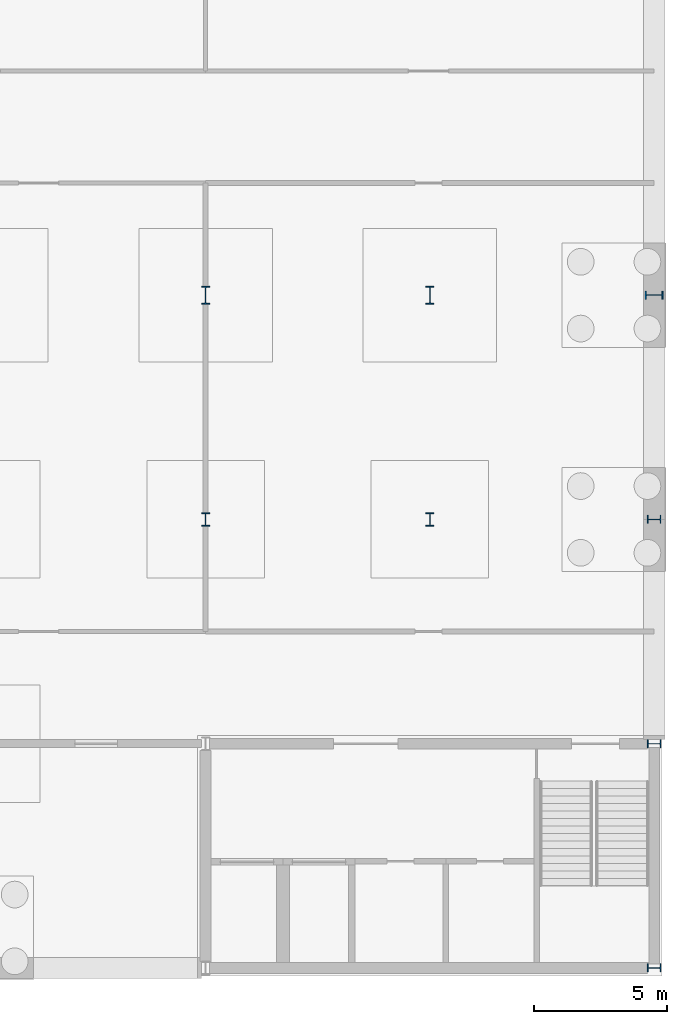
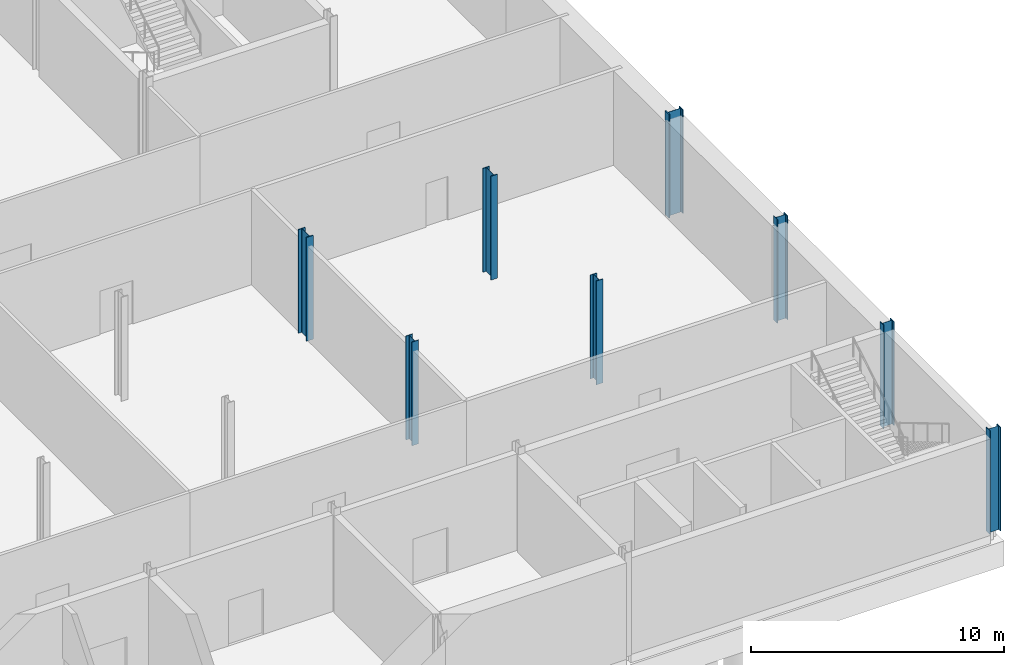
# One storey, part 8 of 22: 8 columns.
"""IFC4 building model written with IfcOpenShell, lengths in metres."""

from ifc_helpers import new_model, si_unit, direction, frame, origin, origin_2d, place, context, subcontext, project, spatial, i_section, extrude, material, material_profile, profile_set, type_object, element, save


model = new_model("IFC4")

# Units and contexts
model_context = context("Model", 3, precision=1e-05, world=origin(), true_north=direction((0.0, 1.0)))
body_context = subcontext(model_context, "Body", "Model", "MODEL_VIEW")
ifc_project = project(units=[si_unit("LENGTHUNIT", "METRE"), si_unit("AREAUNIT", "SQUARE_METRE"), si_unit("VOLUMEUNIT", "CUBIC_METRE"), si_unit("PLANEANGLEUNIT", "RADIAN"), si_unit("MASSUNIT", "GRAM", prefix="KILO")], contexts=[model_context])

# Site, building, storey
site_placement = place(None, origin())
site = spatial("IfcSite", under=ifc_project, at=site_placement, CompositionType="ELEMENT")
building_placement = place(site_placement, origin())
building = spatial("IfcBuilding", under=site, at=building_placement, Name="Galleria Vessillo Department Store", CompositionType="ELEMENT")
storey_placement = place(building_placement, frame((0.0, 0.0, -9.89990234375)))
storey = spatial("IfcBuildingStorey", under=building, at=storey_placement, Name="B2", CompositionType="ELEMENT", Elevation=-9.89990234375)

# Columns
ifc_material_1 = material(Name="Steel S355 J2", Category="steel")
ifc_material_profile_1 = material_profile(ifc_material_1, i_section(OverallWidth=0.300048828125, OverallDepth=0.5, WebThickness=0.014404296875, FlangeThickness=0.028076171875, FilletRadius=0.027099609375, at=origin_2d()), Name="HEB 500")
ifc_profile_set_1 = profile_set([ifc_material_profile_1], Name="Steel S355 J2")
column_type_1 = type_object("IfcColumnType", Name="Steel column HEB 500 CP1", PredefinedType="COLUMN", material=ifc_profile_set_1)
for number, where, z_axis, x_axis, name in (
    (1, (100.800048828125, 16.800048828125, 0.0), (0.0, 0.0, 1.0), (1.0, 0.0, 0.0), "S-COL-B2-13-C"),
    (2, (109.199951171875, 16.800048828125, 0.0), (0.0, 0.0, 1.0), (1.0, 0.0, 0.0), "S-COL-B2-14-C"),
    (3, (117.60009765625, 0.0, 0.0), (0.0, 0.0, 1.0), (0.0, 1.0, 0.0), "S-COL-B2-15-A"),
    (4, (117.60009765625, 8.39990234375, 0.0), (0.0, 0.0, 1.0), (0.0, 1.0, 0.0), "S-COL-B2-15-B"),
    (5, (117.60009765625, 16.800048828125, 0.0), (0.0, 0.0, 1.0), (0.0, 1.0, 0.0), "S-COL-B2-15-C"),
):
    element("IfcColumn", number, at=place(storey_placement, frame(where, z_axis=z_axis, x_axis=x_axis)), inside=storey, type_object=column_type_1, Name=name, PredefinedType="COLUMN", context=body_context, shape_type="SweptSolid", body=[
        extrude(i_section(OverallWidth=0.300048828125, OverallDepth=0.5, WebThickness=0.014404296875, FlangeThickness=0.028076171875, FilletRadius=0.027099609375, at=origin_2d()), origin(), (0.0, 0.0, 1.0), 5.0),
    ])
ifc_material_2 = material(Name="Steel S355 J2", Category="steel")
ifc_material_profile_2 = material_profile(ifc_material_2, i_section(OverallWidth=0.304931640625, OverallDepth=0.66796875, WebThickness=0.02099609375, FlangeThickness=0.0400390625, FilletRadius=0.027099609375, at=origin_2d()), Name="HEM 650")
ifc_profile_set_2 = profile_set([ifc_material_profile_2], Name="Steel S355 J2")
column_type_2 = type_object("IfcColumnType", Name="Steel column HEM 650 CV3", PredefinedType="COLUMN", material=ifc_profile_set_2)
for number, where, z_axis, x_axis, name in (
    (6, (100.800048828125, 25.199951171875, 0.0), (0.0, 0.0, 1.0), (1.0, 0.0, 0.0), "S-COL-B2-13-D"),
    (7, (109.199951171875, 25.199951171875, 0.0), (0.0, 0.0, 1.0), (1.0, 0.0, 0.0), "S-COL-B2-14-D"),
    (8, (117.60009765625, 25.199951171875, 0.0), (0.0, 0.0, 1.0), (0.0, 1.0, 0.0), "S-COL-B2-15-D"),
):
    element("IfcColumn", number, at=place(storey_placement, frame(where, z_axis=z_axis, x_axis=x_axis)), inside=storey, type_object=column_type_2, Name=name, PredefinedType="COLUMN", context=body_context, shape_type="SweptSolid", body=[
        extrude(i_section(OverallWidth=0.304931640625, OverallDepth=0.66796875, WebThickness=0.02099609375, FlangeThickness=0.0400390625, FilletRadius=0.027099609375, at=origin_2d()), origin(), (0.0, 0.0, 1.0), 5.0),
    ])

save(model, "model.ifc")
